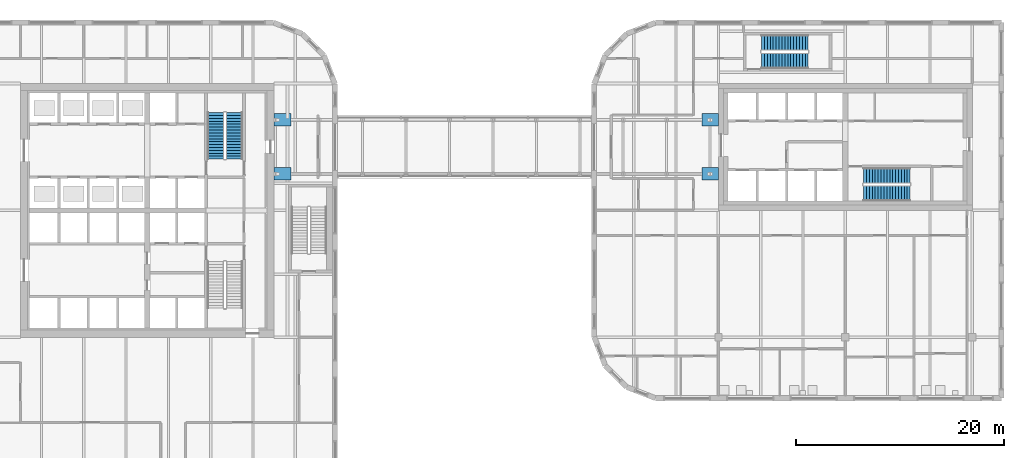
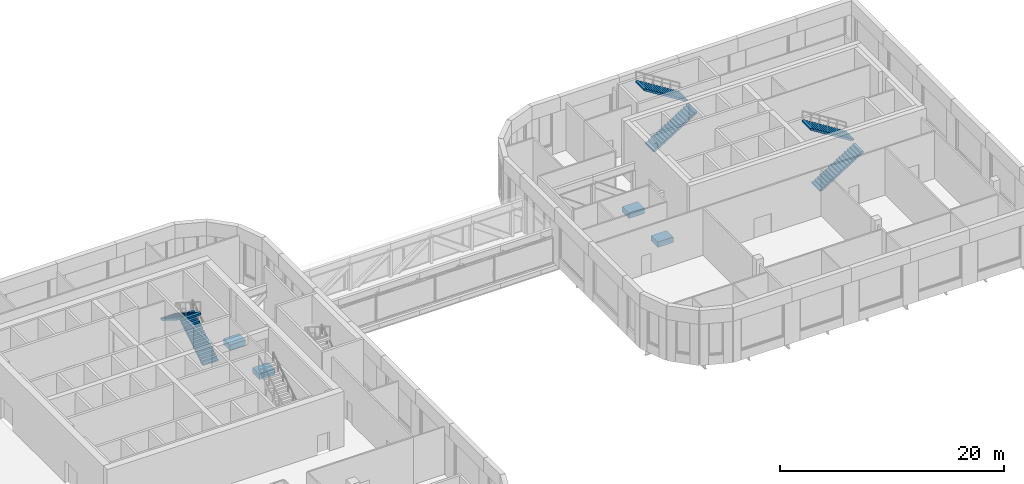
# One storey, part 32 of 36: 6 stair flights, 4 discrete accessories, 3 elements without a shape of their own.
"""IFC4 building model written with IfcOpenShell, lengths in metres."""

from ifc_helpers import new_model, si_unit, direction, frame, origin, origin_2d, place, context, subcontext, project, spatial, polyline, rectangle, outline, extrude, material, type_object, element, aggregate, save


model = new_model("IFC4")

# Units and contexts
model_context = context("Model", 3, precision=1e-05, world=origin(), true_north=direction((0.0, 1.0)))
body_context = subcontext(model_context, "Body", "Model", "MODEL_VIEW")
ifc_project = project(units=[si_unit("LENGTHUNIT", "METRE"), si_unit("AREAUNIT", "SQUARE_METRE"), si_unit("VOLUMEUNIT", "CUBIC_METRE"), si_unit("PLANEANGLEUNIT", "RADIAN"), si_unit("MASSUNIT", "GRAM", prefix="KILO")], contexts=[model_context])

# Site, building, storey
site_placement = place(None, origin())
site = spatial("IfcSite", under=ifc_project, at=site_placement, CompositionType="ELEMENT")
building_placement = place(site_placement, origin())
building = spatial("IfcBuilding", under=site, at=building_placement, Name="Tessera Gate Towers", CompositionType="ELEMENT")
storey_placement = place(building_placement, frame((0.0, 0.0, 106.60009765625)))
storey = spatial("IfcBuildingStorey", under=building, at=storey_placement, Name="L26", CompositionType="ELEMENT", Elevation=106.60009765625)

# Stair, stair flights
ifc_material_1 = material(Name="Concrete C40/50", Category="concrete")
stair_type_1 = type_object("IfcStairType", Name="EXIT STAIR ST2C 1600", PredefinedType="HALF_TURN_STAIR", material=ifc_material_1)
stair_1_placement = place(storey_placement, origin())
stair_1 = element("IfcStair", 1, at=stair_1_placement, inside=storey, type_object=stair_type_1, Name="L26 Protected Exit Stair ST2", PredefinedType="HALF_TURN_STAIR")
ifc_material_2 = material(Name="Concrete C40/50", Category="concrete")
stair_flight_type_1 = type_object("IfcStairFlightType", Name="EXIT STAIR FLIGHT ST2C 1600", PredefinedType="STRAIGHT", material=ifc_material_2)
stair_flight_1_placement = place(storey_placement, frame((51.074951171875, 41.52490234375, 0.0), z_axis=(0.0, 0.0, 1.0), x_axis=(0.0, 1.0, 0.0)))
stair_flight_1 = element("IfcStairFlight", 2, at=stair_flight_1_placement, type_object=stair_flight_type_1, Name="ST2 flight 1", NumberOfRisers=17, NumberOfTreads=16, PredefinedType="STRAIGHT", RiserHeight=0.176470588, TreadLength=0.28, context=body_context, shape_type="SweptSolid", body=[
    extrude(outline(polyline([(0.0, 0.0), (0.0, 0.176513671875), (0.280029296875, 0.176513671875), (0.280029296875, 0.35302734375), (0.56005859375, 0.35302734375), (0.56005859375, 0.529296875), (0.840087890625, 0.529296875), (0.840087890625, 0.705810546875), (1.1201171875, 0.705810546875), (1.1201171875, 0.88232421875), (1.39990234375, 0.88232421875), (1.39990234375, 1.058837890625), (1.679931640625, 1.058837890625), (1.679931640625, 1.2353515625), (1.9599609375, 1.2353515625), (1.9599609375, 1.411865234375), (2.239990234375, 1.411865234375), (2.239990234375, 1.588134765625), (2.52001953125, 1.588134765625), (2.52001953125, 1.7646484375), (2.800048828125, 1.7646484375), (2.800048828125, 1.941162109375), (3.080078125, 1.941162109375), (3.080078125, 2.11767578125), (3.360107421875, 2.11767578125), (3.360107421875, 2.294189453125), (3.639892578125, 2.294189453125), (3.639892578125, 2.470703125), (3.919921875, 2.470703125), (3.919921875, 2.64697265625), (4.199951171875, 2.64697265625), (4.199951171875, 2.823486328125), (4.47998046875, 2.823486328125), (4.47998046875, 3.0), (4.47998046875, 2.646240234375), (0.28125, 0.0), (0.0, 0.0)])), frame((0.0, 0.800048828125, 0.0), z_axis=(0.0, -1.0, 0.0), x_axis=(1.0, 0.0, 0.0)), (0.0, 0.0, 1.0), 1.60009765625),
])
stair_flight_2_placement = place(storey_placement, frame((49.27490234375, 46.0048828125, 3.0), z_axis=(0.0, 0.0, 1.0), x_axis=(0.0, -1.0, 0.0)))
stair_flight_2 = element("IfcStairFlight", 3, at=stair_flight_2_placement, type_object=stair_flight_type_1, Name="ST2 flight 2", NumberOfRisers=17, NumberOfTreads=16, PredefinedType="STRAIGHT", RiserHeight=0.176470588, TreadLength=0.28, context=body_context, shape_type="SweptSolid", body=[
    extrude(outline(polyline([(0.0, 0.0), (0.0, 0.176513671875), (0.280029296875, 0.176513671875), (0.280029296875, 0.35302734375), (0.56005859375, 0.35302734375), (0.56005859375, 0.529296875), (0.840087890625, 0.529296875), (0.840087890625, 0.705810546875), (1.1201171875, 0.705810546875), (1.1201171875, 0.88232421875), (1.39990234375, 0.88232421875), (1.39990234375, 1.058837890625), (1.679931640625, 1.058837890625), (1.679931640625, 1.2353515625), (1.9599609375, 1.2353515625), (1.9599609375, 1.411865234375), (2.239990234375, 1.411865234375), (2.239990234375, 1.588134765625), (2.52001953125, 1.588134765625), (2.52001953125, 1.7646484375), (2.800048828125, 1.7646484375), (2.800048828125, 1.941162109375), (3.080078125, 1.941162109375), (3.080078125, 2.11767578125), (3.360107421875, 2.11767578125), (3.360107421875, 2.294189453125), (3.639892578125, 2.294189453125), (3.639892578125, 2.470703125), (3.919921875, 2.470703125), (3.919921875, 2.64697265625), (4.199951171875, 2.64697265625), (4.199951171875, 2.823486328125), (4.47998046875, 2.823486328125), (4.47998046875, 3.0), (4.47998046875, 2.646240234375), (0.28125, 0.0), (0.0, 0.0)])), frame((0.0, 0.800048828125, 0.0), z_axis=(0.0, -1.0, 0.0), x_axis=(1.0, 0.0, 0.0)), (0.0, 0.0, 1.0), 1.60009765625),
])
aggregate(stair_1, [stair_flight_1, stair_flight_2])

ifc_material_3 = material(Name="Concrete C40/50", Category="concrete")
stair_type_2 = type_object("IfcStairType", Name="EXIT STAIR ST6E 1500", PredefinedType="HALF_TURN_STAIR", material=ifc_material_3)
stair_2_placement = place(storey_placement, origin())
stair_2 = element("IfcStair", 4, at=stair_2_placement, inside=storey, type_object=stair_type_2, Name="L26 Protected Exit Stair ST6", PredefinedType="HALF_TURN_STAIR")
ifc_material_4 = material(Name="Concrete C40/50", Category="concrete")
stair_flight_type_2 = type_object("IfcStairFlightType", Name="EXIT STAIR FLIGHT ST6E 1500", PredefinedType="STRAIGHT", material=ifc_material_4)
stair_flight_3_placement = place(storey_placement, frame((111.550048828125, 38.25, 0.0), z_axis=(0.0, 0.0, 1.0), x_axis=(1.0, 0.0, 0.0)))
stair_flight_3 = element("IfcStairFlight", 5, at=stair_flight_3_placement, type_object=stair_flight_type_2, Name="ST6 flight 1", NumberOfRisers=17, NumberOfTreads=16, PredefinedType="STRAIGHT", RiserHeight=0.176470588, TreadLength=0.28, context=body_context, shape_type="SweptSolid", body=[
    extrude(outline(polyline([(0.0, 0.0), (0.0, 0.176513671875), (0.280029296875, 0.176513671875), (0.280029296875, 0.35302734375), (0.56005859375, 0.35302734375), (0.56005859375, 0.529296875), (0.840087890625, 0.529296875), (0.840087890625, 0.705810546875), (1.1201171875, 0.705810546875), (1.1201171875, 0.88232421875), (1.39990234375, 0.88232421875), (1.39990234375, 1.058837890625), (1.679931640625, 1.058837890625), (1.679931640625, 1.2353515625), (1.9599609375, 1.2353515625), (1.9599609375, 1.411865234375), (2.239990234375, 1.411865234375), (2.239990234375, 1.588134765625), (2.52001953125, 1.588134765625), (2.52001953125, 1.7646484375), (2.800048828125, 1.7646484375), (2.800048828125, 1.941162109375), (3.080078125, 1.941162109375), (3.080078125, 2.11767578125), (3.360107421875, 2.11767578125), (3.360107421875, 2.294189453125), (3.639892578125, 2.294189453125), (3.639892578125, 2.470703125), (3.919921875, 2.470703125), (3.919921875, 2.64697265625), (4.199951171875, 2.64697265625), (4.199951171875, 2.823486328125), (4.47998046875, 2.823486328125), (4.47998046875, 3.0), (4.47998046875, 2.646240234375), (0.28125, 0.0), (0.0, 0.0)])), frame((0.0, 0.75, 0.0), z_axis=(0.0, -1.0, 0.0), x_axis=(1.0, 0.0, 0.0)), (0.0, 0.0, 1.0), 1.5),
])
stair_flight_4_placement = place(storey_placement, frame((116.030029296875, 39.949951171875, 3.0), z_axis=(0.0, 0.0, 1.0), x_axis=(-1.0, 0.0, 0.0)))
stair_flight_4 = element("IfcStairFlight", 6, at=stair_flight_4_placement, type_object=stair_flight_type_2, Name="ST6 flight 2", NumberOfRisers=17, NumberOfTreads=16, PredefinedType="STRAIGHT", RiserHeight=0.176470588, TreadLength=0.28, context=body_context, shape_type="SweptSolid", body=[
    extrude(outline(polyline([(0.0, 0.0), (0.0, 0.176513671875), (0.280029296875, 0.176513671875), (0.280029296875, 0.35302734375), (0.56005859375, 0.35302734375), (0.56005859375, 0.529296875), (0.840087890625, 0.529296875), (0.840087890625, 0.705810546875), (1.1201171875, 0.705810546875), (1.1201171875, 0.88232421875), (1.39990234375, 0.88232421875), (1.39990234375, 1.058837890625), (1.679931640625, 1.058837890625), (1.679931640625, 1.2353515625), (1.9599609375, 1.2353515625), (1.9599609375, 1.411865234375), (2.239990234375, 1.411865234375), (2.239990234375, 1.588134765625), (2.52001953125, 1.588134765625), (2.52001953125, 1.7646484375), (2.800048828125, 1.7646484375), (2.800048828125, 1.941162109375), (3.080078125, 1.941162109375), (3.080078125, 2.11767578125), (3.360107421875, 2.11767578125), (3.360107421875, 2.294189453125), (3.639892578125, 2.294189453125), (3.639892578125, 2.470703125), (3.919921875, 2.470703125), (3.919921875, 2.64697265625), (4.199951171875, 2.64697265625), (4.199951171875, 2.823486328125), (4.47998046875, 2.823486328125), (4.47998046875, 3.0), (4.47998046875, 2.646240234375), (0.28125, 0.0), (0.0, 0.0)])), frame((0.0, 0.75, 0.0), z_axis=(0.0, -1.0, 0.0), x_axis=(1.0, 0.0, 0.0)), (0.0, 0.0, 1.0), 1.5),
])
aggregate(stair_2, [stair_flight_3, stair_flight_4])

ifc_material_5 = material(Name="Concrete C40/50", Category="concrete")
stair_type_3 = type_object("IfcStairType", Name="EXIT STAIR ST7E 1500", PredefinedType="HALF_TURN_STAIR", material=ifc_material_5)
stair_3_placement = place(storey_placement, origin())
stair_3 = element("IfcStair", 7, at=stair_3_placement, inside=storey, type_object=stair_type_3, Name="L26 North Exit Stair ST7", PredefinedType="HALF_TURN_STAIR")
ifc_material_6 = material(Name="Concrete C40/50", Category="concrete")
stair_flight_type_3 = type_object("IfcStairFlightType", Name="EXIT STAIR FLIGHT ST7E 1500", PredefinedType="STRAIGHT", material=ifc_material_6)
stair_flight_5_placement = place(storey_placement, frame((101.75, 51.0, 0.0), z_axis=(0.0, 0.0, 1.0), x_axis=(1.0, 0.0, 0.0)))
stair_flight_5 = element("IfcStairFlight", 8, at=stair_flight_5_placement, type_object=stair_flight_type_3, Name="ST7 flight 1", NumberOfRisers=17, NumberOfTreads=16, PredefinedType="STRAIGHT", RiserHeight=0.176470588, TreadLength=0.28, context=body_context, shape_type="SweptSolid", body=[
    extrude(outline(polyline([(0.0, 0.0), (0.0, 0.176513671875), (0.280029296875, 0.176513671875), (0.280029296875, 0.35302734375), (0.56005859375, 0.35302734375), (0.56005859375, 0.529296875), (0.840087890625, 0.529296875), (0.840087890625, 0.705810546875), (1.1201171875, 0.705810546875), (1.1201171875, 0.88232421875), (1.39990234375, 0.88232421875), (1.39990234375, 1.058837890625), (1.679931640625, 1.058837890625), (1.679931640625, 1.2353515625), (1.9599609375, 1.2353515625), (1.9599609375, 1.411865234375), (2.239990234375, 1.411865234375), (2.239990234375, 1.588134765625), (2.52001953125, 1.588134765625), (2.52001953125, 1.7646484375), (2.800048828125, 1.7646484375), (2.800048828125, 1.941162109375), (3.080078125, 1.941162109375), (3.080078125, 2.11767578125), (3.360107421875, 2.11767578125), (3.360107421875, 2.294189453125), (3.639892578125, 2.294189453125), (3.639892578125, 2.470703125), (3.919921875, 2.470703125), (3.919921875, 2.64697265625), (4.199951171875, 2.64697265625), (4.199951171875, 2.823486328125), (4.47998046875, 2.823486328125), (4.47998046875, 3.0), (4.47998046875, 2.646240234375), (0.28125, 0.0), (0.0, 0.0)])), frame((0.0, 0.75, 0.0), z_axis=(0.0, -1.0, 0.0), x_axis=(1.0, 0.0, 0.0)), (0.0, 0.0, 1.0), 1.5),
])
stair_flight_6_placement = place(storey_placement, frame((106.22998046875, 52.699951171875, 3.0), z_axis=(0.0, 0.0, 1.0), x_axis=(-1.0, 0.0, 0.0)))
stair_flight_6 = element("IfcStairFlight", 9, at=stair_flight_6_placement, type_object=stair_flight_type_3, Name="ST7 flight 2", NumberOfRisers=17, NumberOfTreads=16, PredefinedType="STRAIGHT", RiserHeight=0.176470588, TreadLength=0.28, context=body_context, shape_type="SweptSolid", body=[
    extrude(outline(polyline([(0.0, 0.0), (0.0, 0.176513671875), (0.280029296875, 0.176513671875), (0.280029296875, 0.35302734375), (0.56005859375, 0.35302734375), (0.56005859375, 0.529296875), (0.840087890625, 0.529296875), (0.840087890625, 0.705810546875), (1.1201171875, 0.705810546875), (1.1201171875, 0.88232421875), (1.39990234375, 0.88232421875), (1.39990234375, 1.058837890625), (1.679931640625, 1.058837890625), (1.679931640625, 1.2353515625), (1.9599609375, 1.2353515625), (1.9599609375, 1.411865234375), (2.239990234375, 1.411865234375), (2.239990234375, 1.588134765625), (2.52001953125, 1.588134765625), (2.52001953125, 1.7646484375), (2.800048828125, 1.7646484375), (2.800048828125, 1.941162109375), (3.080078125, 1.941162109375), (3.080078125, 2.11767578125), (3.360107421875, 2.11767578125), (3.360107421875, 2.294189453125), (3.639892578125, 2.294189453125), (3.639892578125, 2.470703125), (3.919921875, 2.470703125), (3.919921875, 2.64697265625), (4.199951171875, 2.64697265625), (4.199951171875, 2.823486328125), (4.47998046875, 2.823486328125), (4.47998046875, 3.0), (4.47998046875, 2.646240234375), (0.28125, 0.0), (0.0, 0.0)])), frame((0.0, 0.75, 0.0), z_axis=(0.0, -1.0, 0.0), x_axis=(1.0, 0.0, 0.0)), (0.0, 0.0, 1.0), 1.5),
])
aggregate(stair_3, [stair_flight_5, stair_flight_6])

# Discrete accessories
ifc_material_7 = material(Name="Concrete C60/75", Category="concrete")
discrete_accessory_type_1 = type_object("IfcDiscreteAccessoryType", Name="BRIDGE BEARING SEAT BR2 FIXED END TESSERA TOWER", PredefinedType="BRACKET", material=ifc_material_7)
for number, where, z_axis, x_axis, name in (
    (10, (55.699951171875, 40.10009765625, -1.88525390625), (0.0, 0.0, 1.0), (1.0, 0.0, 0.0), "BR2 bearing seat fixed end Tessera Tower 1"),
    (11, (55.699951171875, 45.300048828125, -1.88525390625), (0.0, 0.0, 1.0), (1.0, 0.0, 0.0), "BR2 bearing seat fixed end Tessera Tower 2"),
):
    element("IfcDiscreteAccessory", number, at=place(storey_placement, frame(where, z_axis=z_axis, x_axis=x_axis)), inside=storey, type_object=discrete_accessory_type_1, Name=name, PredefinedType="BRACKET", context=body_context, shape_type="SweptSolid", body=[
        extrude(rectangle(XDim=1.60009765625, YDim=1.199951171875, at=origin_2d()), origin(), (0.0, 0.0, 1.0), 0.60009765625),
    ])
ifc_material_8 = material(Name="Concrete C60/75", Category="concrete")
discrete_accessory_type_2 = type_object("IfcDiscreteAccessoryType", Name="BRIDGE BEARING SEAT BR2 SLIDING END GATE TOWER", PredefinedType="BRACKET", material=ifc_material_8)
for number, where, z_axis, x_axis, name in (
    (12, (96.800048828125, 40.10009765625, -1.88525390625), (0.0, 0.0, 1.0), (1.0, 0.0, 0.0), "BR2 bearing seat sliding end Gate Tower 1"),
    (13, (96.800048828125, 45.300048828125, -1.88525390625), (0.0, 0.0, 1.0), (1.0, 0.0, 0.0), "BR2 bearing seat sliding end Gate Tower 2"),
):
    element("IfcDiscreteAccessory", number, at=place(storey_placement, frame(where, z_axis=z_axis, x_axis=x_axis)), inside=storey, type_object=discrete_accessory_type_2, Name=name, PredefinedType="BRACKET", context=body_context, shape_type="SweptSolid", body=[
        extrude(rectangle(XDim=1.60009765625, YDim=1.199951171875, at=origin_2d()), origin(), (0.0, 0.0, 1.0), 0.60009765625),
    ])

save(model, "model.ifc")
